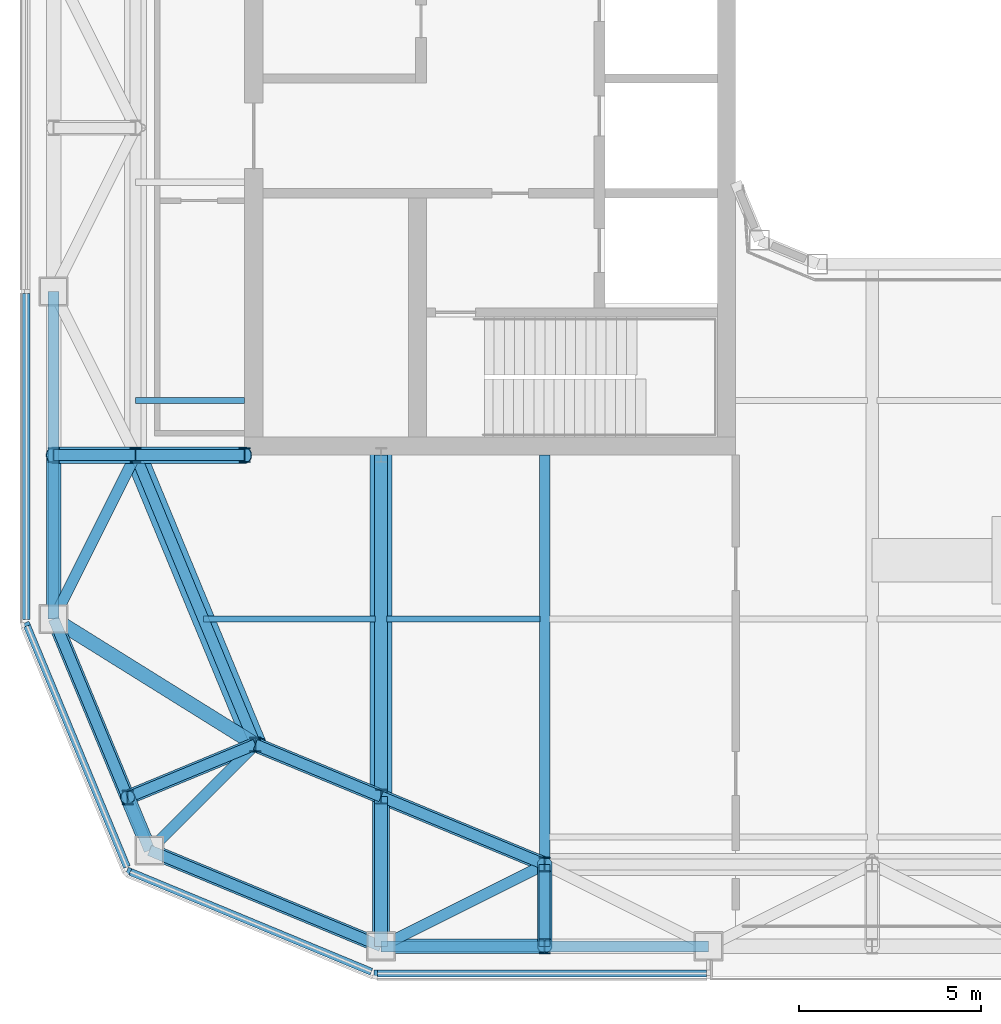
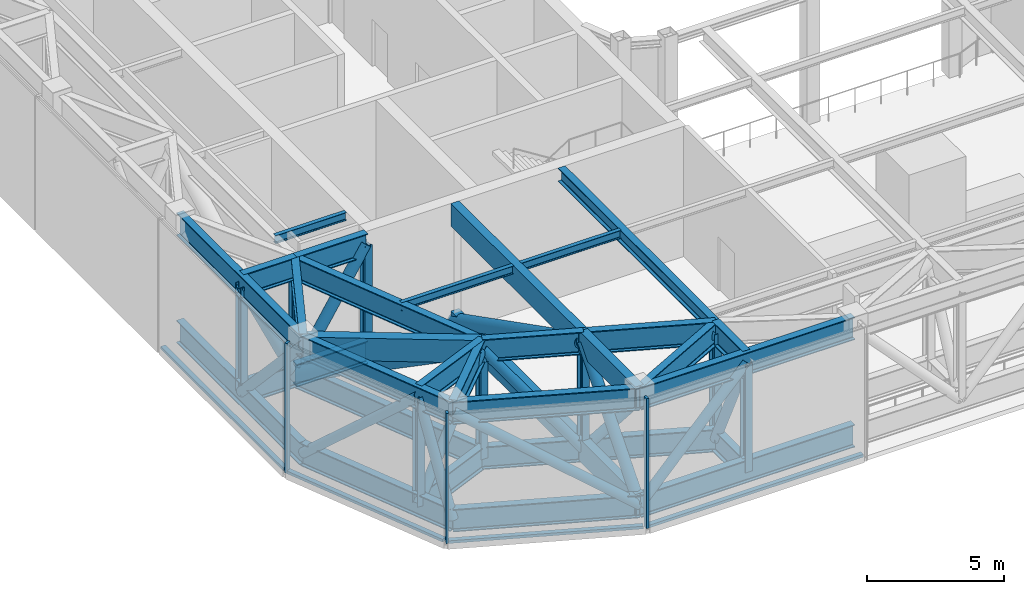
# One storey, part 2 of 21: 34 beams, 29 members, 4 elements without a shape of their own.
"""IFC4 building model written with IfcOpenShell, lengths in metres."""

from ifc_helpers import new_model, si_unit, direction, frame, origin, origin_2d, place, context, subcontext, project, spatial, rectangle, hollow_rectangle, hollow_circle, i_section, extrude, material, layer, layer_set, material_profile, profile_set, type_object, element, aggregate, save


model = new_model("IFC4")

# Units and contexts
model_context = context("Model", 3, precision=1e-05, world=origin(), true_north=direction((0.0, 1.0)))
body_context = subcontext(model_context, "Body", "Model", "MODEL_VIEW")
ifc_project = project(units=[si_unit("LENGTHUNIT", "METRE"), si_unit("AREAUNIT", "SQUARE_METRE"), si_unit("VOLUMEUNIT", "CUBIC_METRE"), si_unit("PLANEANGLEUNIT", "RADIAN"), si_unit("MASSUNIT", "GRAM", prefix="KILO")], contexts=[model_context])

# Site, building, storey
site_placement = place(None, origin())
site = spatial("IfcSite", under=ifc_project, at=site_placement, CompositionType="ELEMENT")
building_placement = place(site_placement, origin())
building = spatial("IfcBuilding", under=site, at=building_placement, Name="Siwar Civic Tower", CompositionType="ELEMENT")
storey_placement = place(building_placement, frame((0.0, 0.0, 278.199951171875)))
storey = spatial("IfcBuildingStorey", under=building, at=storey_placement, Name="L60", CompositionType="ELEMENT", Elevation=278.199951171875)

# Curtain wall, member
ifc_material_1 = material(Name="Aluminium and glass", Category="aluminium")
ifc_layer = layer(ifc_material_1, 0.199951171875)
ifc_layer_set = layer_set([ifc_layer], Name="Aluminium and glass")
curtain_wall_type = type_object("IfcCurtainWallType", Name="ENV-CW-P", PredefinedType="NOTDEFINED", material=ifc_layer_set)
curtain_wall_1_placement = place(storey_placement, origin())
curtain_wall_1 = element("IfcCurtainWall", 1, at=curtain_wall_1_placement, inside=storey, type_object=curtain_wall_type, Name="Curtain wall P S-00", PredefinedType="NOTDEFINED")
ifc_material_2 = material(Name="Aluminium 6063-T6", Category="aluminium")
ifc_material_profile_1 = material_profile(ifc_material_2, rectangle(XDim=0.199951171875, YDim=0.10009765625, at=origin_2d()), Name="AL 200x100")
ifc_profile_set_1 = profile_set([ifc_material_profile_1], Name="Aluminium 6063-T6")
member_type_1 = type_object("IfcMemberType", Name="ENV-MULLION-P", PredefinedType="MULLION", material=ifc_profile_set_1)
member_1_placement = place(storey_placement, frame((-18.149169921875, -27.75, 0.0), z_axis=(0.0, 0.0, 1.0), x_axis=(0.0, 1.0, 0.0)))
member_1 = element("IfcMember", 2, at=member_1_placement, type_object=member_type_1, Name="Mullion P S-00 1", PredefinedType="MULLION", context=body_context, shape_type="SweptSolid", body=[
    extrude(rectangle(XDim=0.199951171875, YDim=0.10009765625, at=origin_2d()), origin(), (0.0, 0.0, 1.0), 5.800048828125),
])

curtain_wall_2_placement = place(storey_placement, origin())
curtain_wall_2 = element("IfcCurtainWall", 3, at=curtain_wall_2_placement, inside=storey, type_object=curtain_wall_type, Name="Curtain wall P SW1", PredefinedType="NOTDEFINED")
member_2_placement = place(storey_placement, frame((-27.75, -18.149169921875, 0.0), z_axis=(0.0, 0.0, 1.0), x_axis=(0.923879532511, 0.382683432365, 0.0)))
member_2 = element("IfcMember", 4, at=member_2_placement, type_object=member_type_1, Name="Mullion P SW1 1", PredefinedType="MULLION", context=body_context, shape_type="SweptSolid", body=[
    extrude(rectangle(XDim=0.199951171875, YDim=0.10009765625, at=origin_2d()), origin(), (0.0, 0.0, 1.0), 5.800048828125),
])

curtain_wall_3_placement = place(storey_placement, origin())
curtain_wall_3 = element("IfcCurtainWall", 5, at=curtain_wall_3_placement, inside=storey, type_object=curtain_wall_type, Name="Curtain wall P SW2", PredefinedType="NOTDEFINED")
member_3_placement = place(storey_placement, frame((-24.93798828125, -24.93798828125, 0.0), z_axis=(0.0, 0.0, 1.0), x_axis=(0.382683432365, 0.923879532511, 0.0)))
member_3 = element("IfcMember", 6, at=member_3_placement, type_object=member_type_1, Name="Mullion P SW2 1", PredefinedType="MULLION", context=body_context, shape_type="SweptSolid", body=[
    extrude(rectangle(XDim=0.199951171875, YDim=0.10009765625, at=origin_2d()), origin(), (0.0, 0.0, 1.0), 5.800048828125),
])

# Member
ifc_material_3 = material(Name="Aluminium 6063-T6", Category="aluminium")
ifc_material_profile_2 = material_profile(ifc_material_3, rectangle(XDim=0.199951171875, YDim=0.1201171875, at=origin_2d()), Name="AL 200x120")
ifc_profile_set_2 = profile_set([ifc_material_profile_2], Name="Aluminium 6063-T6")
member_type_2 = type_object("IfcMemberType", Name="ENV-TRANSOM-P", PredefinedType="USERDEFINED", material=ifc_profile_set_2)
member_4_placement = place(storey_placement, frame((-18.09912109375, -27.75, 0.06005859375), z_axis=(1.0, 0.0, 0.0), x_axis=(0.0, 1.0, 0.0)))
member_4 = element("IfcMember", 7, at=member_4_placement, type_object=member_type_2, Name="Transom P S-00 1", ObjectType="TRANSOM", PredefinedType="USERDEFINED", context=body_context, shape_type="SweptSolid", body=[
    extrude(rectangle(XDim=0.199951171875, YDim=0.1201171875, at=origin_2d()), origin(), (0.0, 0.0, 1.0), 9.049072265625),
])

aggregate(curtain_wall_1, [member_1, member_4])

# Curtain wall, member
curtain_wall_4_placement = place(storey_placement, origin())
curtain_wall_4 = element("IfcCurtainWall", 8, at=curtain_wall_4_placement, inside=storey, type_object=curtain_wall_type, Name="Curtain wall P W", PredefinedType="NOTDEFINED")
member_5_placement = place(storey_placement, frame((-27.75, -9.050048828125, 0.06005859375), z_axis=(0.0, -1.0, 0.0), x_axis=(1.0, 0.0, 0.0)))
member_5 = element("IfcMember", 9, at=member_5_placement, type_object=member_type_2, Name="Transom P W 4", ObjectType="TRANSOM", PredefinedType="USERDEFINED", context=body_context, shape_type="SweptSolid", body=[
    extrude(rectangle(XDim=0.199951171875, YDim=0.1201171875, at=origin_2d()), origin(), (0.0, 0.0, 1.0), 8.97314453125),
])
aggregate(curtain_wall_4, [member_5])

# Member
member_6_placement = place(storey_placement, frame((-27.73095703125, -18.1953125, 0.06005859375), z_axis=(0.382678484395, -0.923881582012, 0.0), x_axis=(0.923881582012, 0.382678484395, 0.0)))
member_6 = element("IfcMember", 10, at=member_6_placement, type_object=member_type_2, Name="Transom P SW1 1", ObjectType="TRANSOM", PredefinedType="USERDEFINED", context=body_context, shape_type="SweptSolid", body=[
    extrude(rectangle(XDim=0.199951171875, YDim=0.1201171875, at=origin_2d()), origin(), (0.0, 0.0, 1.0), 7.172119140625),
])

aggregate(curtain_wall_2, [member_2, member_6])

member_7_placement = place(storey_placement, frame((-24.891845703125, -24.95703125, 0.06005859375), z_axis=(0.923881582012, -0.382678484395, 0.0), x_axis=(0.382678484395, 0.923881582012, 0.0)))
member_7 = element("IfcMember", 11, at=member_7_placement, type_object=member_type_2, Name="Transom P SW2 1", ObjectType="TRANSOM", PredefinedType="USERDEFINED", context=body_context, shape_type="SweptSolid", body=[
    extrude(rectangle(XDim=0.199951171875, YDim=0.1201171875, at=origin_2d()), origin(), (0.0, 0.0, 1.0), 7.172119140625),
])

aggregate(curtain_wall_3, [member_3, member_7])

# Beams
ifc_material_4 = material(Name="Steel S460", Category="steel")
ifc_material_profile_3 = material_profile(ifc_material_4, i_section(OverallWidth=0.302001953125, OverallDepth=1.008056640625, WebThickness=0.02099609375, FlangeThickness=0.0400390625, FilletRadius=0.030029296875, at=origin_2d()), Name="HEM1000")
ifc_profile_set_3 = profile_set([ifc_material_profile_3], Name="Steel S460")
beam_type_1 = type_object("IfcBeamType", Name="STR-BELT-TRUSS-CHORD-HEM1000", PredefinedType="BEAM", material=ifc_profile_set_3)
for number, where, z_axis, x_axis, name in (
    (12, (-24.75, -13.5, 0.504150390625), (0.382699877515, -0.923872720536, 0.0), (0.923872720536, 0.382699877515, 0.0), "Belt truss chord"),
    (13, (-24.75, -13.5, 5.296142578125), (0.382699877515, -0.923872720536, 0.0), (0.923872720536, 0.382699877515, 0.0), "Belt truss chord"),
):
    element("IfcBeam", number, at=place(storey_placement, frame(where, z_axis=z_axis, x_axis=x_axis)), inside=storey, type_object=beam_type_1, Name=name, PredefinedType="BEAM", context=body_context, shape_type="SweptSolid", body=[
        extrude(i_section(OverallWidth=0.302001953125, OverallDepth=1.008056640625, WebThickness=0.02099609375, FlangeThickness=0.0400390625, FilletRadius=0.030029296875, at=origin_2d()), origin(), (0.0, 0.0, 1.0), 8.6103515625),
    ])
for number, where, z_axis, x_axis, name in (
    (14, (-21.454833984375, -21.454833984375, 0.504150390625), (0.923868824781, -0.382709282091, 0.0), (0.382709282091, 0.923868824781, 0.0), "Belt truss chord"),
    (15, (-21.454833984375, -21.454833984375, 5.296142578125), (0.923868824781, -0.382709282091, 0.0), (0.382709282091, 0.923868824781, 0.0), "Belt truss chord"),
):
    element("IfcBeam", number, at=place(storey_placement, frame(where, z_axis=z_axis, x_axis=x_axis)), inside=storey, type_object=beam_type_1, Name=name, PredefinedType="BEAM", context=body_context, shape_type="SweptSolid", body=[
        extrude(i_section(OverallWidth=0.302001953125, OverallDepth=1.008056640625, WebThickness=0.02099609375, FlangeThickness=0.0400390625, FilletRadius=0.030029296875, at=origin_2d()), origin(), (0.0, 0.0, 1.0), 3.739501953125),
    ])
for number, where, z_axis, x_axis, name in (
    (16, (-18.0, -22.885986328125, 0.504150390625), (0.923875711423, -0.382692657157, 0.0), (0.382692657157, 0.923875711423, 0.0), "Belt truss chord"),
    (17, (-18.0, -22.885986328125, 5.296142578125), (0.923875711423, -0.382692657157, 0.0), (0.382692657157, 0.923875711423, 0.0), "Belt truss chord"),
):
    element("IfcBeam", number, at=place(storey_placement, frame(where, z_axis=z_axis, x_axis=x_axis)), inside=storey, type_object=beam_type_1, Name=name, PredefinedType="BEAM", context=body_context, shape_type="SweptSolid", body=[
        extrude(i_section(OverallWidth=0.302001953125, OverallDepth=1.008056640625, WebThickness=0.02099609375, FlangeThickness=0.0400390625, FilletRadius=0.030029296875, at=origin_2d()), origin(), (0.0, 0.0, 1.0), 4.870849609375),
    ])
for number, where, z_axis, x_axis, name in (
    (18, (-18.0, -27.0, 0.504150390625), (1.0, 0.0, 0.0), (0.0, 1.0, 0.0), "Belt truss chord"),
    (19, (-18.0, -27.0, 5.296142578125), (1.0, 0.0, 0.0), (0.0, 1.0, 0.0), "Belt truss chord"),
    (20, (-27.0, -9.0, 0.504150390625), (0.0, -1.0, 0.0), (1.0, 0.0, 0.0), "Belt truss chord"),
    (21, (-27.0, -9.0, 5.296142578125), (0.0, -1.0, 0.0), (1.0, 0.0, 0.0), "Belt truss chord"),
):
    element("IfcBeam", number, at=place(storey_placement, frame(where, z_axis=z_axis, x_axis=x_axis)), inside=storey, type_object=beam_type_1, Name=name, PredefinedType="BEAM", context=body_context, shape_type="SweptSolid", body=[
        extrude(i_section(OverallWidth=0.302001953125, OverallDepth=1.008056640625, WebThickness=0.02099609375, FlangeThickness=0.0400390625, FilletRadius=0.030029296875, at=origin_2d()), origin(), (0.0, 0.0, 1.0), 9.0),
    ])
for number, where, z_axis, x_axis, name in (
    (22, (-27.0, -18.0, 0.504150390625), (0.382674207535, -0.923883353507, 0.0), (0.923883353507, 0.382674207535, 0.0), "Belt truss chord"),
    (23, (-27.0, -18.0, 5.296142578125), (0.382674207535, -0.923883353507, 0.0), (0.923883353507, 0.382674207535, 0.0), "Belt truss chord"),
    (24, (-24.364013671875, -24.364013671875, 0.504150390625), (0.923883353507, -0.382674207535, 0.0), (0.382674207535, 0.923883353507, 0.0), "Belt truss chord"),
    (25, (-24.364013671875, -24.364013671875, 5.296142578125), (0.923883353507, -0.382674207535, 0.0), (0.382674207535, 0.923883353507, 0.0), "Belt truss chord"),
):
    element("IfcBeam", number, at=place(storey_placement, frame(where, z_axis=z_axis, x_axis=x_axis)), inside=storey, type_object=beam_type_1, Name=name, PredefinedType="BEAM", context=body_context, shape_type="SweptSolid", body=[
        extrude(i_section(OverallWidth=0.302001953125, OverallDepth=1.008056640625, WebThickness=0.02099609375, FlangeThickness=0.0400390625, FilletRadius=0.030029296875, at=origin_2d()), origin(), (0.0, 0.0, 1.0), 6.888427734375),
    ])

# Members
ifc_material_5 = material(Name="Steel S355", Category="steel")
ifc_material_profile_4 = material_profile(ifc_material_5, hollow_circle(Radius=0.203125, WallThickness=0.01611328125, at=origin_2d()), Name="CHS406.4x16")
ifc_profile_set_4 = profile_set([ifc_material_profile_4], Name="Steel S355")
member_type_3 = type_object("IfcMemberType", Name="STR-BELT-TRUSS-DIAGONAL-CHS406.4x16", PredefinedType="BRACE", material=ifc_profile_set_4)
member_8_placement = place(storey_placement, frame((-17.9970703125, -22.88720703125, 0.5), z_axis=(-0.568386651016, 0.235414322971, 0.78836331186), x_axis=(-0.38265688181, -0.923890529664, 0.0)))
element("IfcMember", 26, at=member_8_placement, inside=storey, type_object=member_type_3, Name="Belt truss diagonal", PredefinedType="BRACE", context=body_context, shape_type="SweptSolid", body=[
    extrude(hollow_circle(Radius=0.203125, WallThickness=0.01611328125, at=origin_2d()), origin(), (0.0, 0.0, 1.0), 6.088623046875),
])
member_9_placement = place(storey_placement, frame((-18.003173828125, -22.884765625, 0.50048828125), z_axis=(0.658560782999, -0.272800723091, 0.701339761155), x_axis=(0.382702489371, 0.923871638611, 0.0)))
element("IfcMember", 27, at=member_9_placement, inside=storey, type_object=member_type_3, Name="Belt truss diagonal", PredefinedType="BRACE", context=body_context, shape_type="SweptSolid", body=[
    extrude(hollow_circle(Radius=0.203125, WallThickness=0.01611328125, at=origin_2d()), origin(), (0.0, 0.0, 1.0), 6.8427734375),
])
for number, where, z_axis, x_axis, name in (
    (28, (-18.00341796875, -27.0, 0.50048828125), (0.684545317859, 0.0, 0.728970306526), (0.0, 1.0, 0.0), "Belt truss diagonal"),
    (29, (-27.0, -13.49658203125, 0.50048828125), (0.0, -0.684545317859, 0.728970306526), (1.0, 0.0, 0.0), "Belt truss diagonal"),
):
    element("IfcMember", number, at=place(storey_placement, frame(where, z_axis=z_axis, x_axis=x_axis)), inside=storey, type_object=member_type_3, Name=name, PredefinedType="BRACE", context=body_context, shape_type="SweptSolid", body=[
        extrude(hollow_circle(Radius=0.203125, WallThickness=0.01611328125, at=origin_2d()), origin(), (0.0, 0.0, 1.0), 6.583740234375),
    ])
member_10_placement = place(storey_placement, frame((-27.00146484375, -17.99658203125, 0.500732421875), z_axis=(0.284196149478, -0.686111720661, 0.669688924348), x_axis=(0.923879832688, 0.382682707675, 0.0)))
element("IfcMember", 30, at=member_10_placement, inside=storey, type_object=member_type_3, Name="Belt truss diagonal", PredefinedType="BRACE", context=body_context, shape_type="SweptSolid", body=[
    extrude(hollow_circle(Radius=0.203125, WallThickness=0.01611328125, at=origin_2d()), origin(), (0.0, 0.0, 1.0), 7.165283203125),
])
member_11_placement = place(storey_placement, frame((-24.36328125, -24.365478515625, 0.499267578125), z_axis=(-0.119460581457, 0.288386442093, 0.950032857061), x_axis=(-0.92387159711, -0.382702589557, 0.0)))
element("IfcMember", 31, at=member_11_placement, inside=storey, type_object=member_type_3, Name="Belt truss diagonal", PredefinedType="BRACE", context=body_context, shape_type="SweptSolid", body=[
    extrude(hollow_circle(Radius=0.203125, WallThickness=0.01611328125, at=origin_2d()), origin(), (0.0, 0.0, 1.0), 5.053955078125),
])
member_12_placement = place(storey_placement, frame((-17.99609375, -27.00146484375, 0.501220703125), z_axis=(-0.758418164088, 0.314142859752, 0.571065803606), x_axis=(-0.38267903437, -0.923881354208, 0.0)))
element("IfcMember", 32, at=member_12_placement, inside=storey, type_object=member_type_3, Name="Belt truss diagonal", PredefinedType="BRACE", context=body_context, shape_type="SweptSolid", body=[
    extrude(hollow_circle(Radius=0.203125, WallThickness=0.01611328125, at=origin_2d()), origin(), (0.0, 0.0, 1.0), 8.401123046875),
])
member_13_placement = place(storey_placement, frame((-13.5, -24.747802734375, 0.49951171875), z_axis=(0.0, -0.425038765055, 0.905175147803), x_axis=(1.0, 0.0, 0.0)))
element("IfcMember", 33, at=member_13_placement, inside=storey, type_object=member_type_3, Name="Belt truss diagonal", PredefinedType="BRACE", context=body_context, shape_type="SweptSolid", body=[
    extrude(hollow_circle(Radius=0.203125, WallThickness=0.01611328125, at=origin_2d()), origin(), (0.0, 0.0, 1.0), 5.303955078125),
])
member_14_placement = place(storey_placement, frame((-24.96923828125, -22.91064453125, 0.500244140625), z_axis=(0.574106667856, 0.237796368673, 0.783488622106), x_axis=(-0.382674642233, 0.923883173454, 0.0)))
element("IfcMember", 34, at=member_14_placement, inside=storey, type_object=member_type_3, Name="Belt truss diagonal", PredefinedType="BRACE", context=body_context, shape_type="SweptSolid", body=[
    extrude(hollow_circle(Radius=0.203125, WallThickness=0.01611328125, at=origin_2d()), origin(), (0.0, 0.0, 1.0), 6.126220703125),
])
ifc_material_6 = material(Name="Steel S355", Category="steel")
ifc_material_profile_5 = material_profile(ifc_material_6, hollow_circle(Radius=0.304931640625, WallThickness=0.030029296875, at=origin_2d()), Name="CHS610x30")
ifc_profile_set_5 = profile_set([ifc_material_profile_5], Name="Steel S355")
member_type_4 = type_object("IfcMemberType", Name="STR-BELT-TRUSS-DIAGONAL-CHS610x30", PredefinedType="BRACE", material=ifc_profile_set_5)
member_15_placement = place(storey_placement, frame((-24.751708984375, -13.495849609375, 0.501708984375), z_axis=(0.334378008671, -0.807284049506, 0.486296011427), x_axis=(0.923883575944, 0.382673670509, 0.0)))
element("IfcMember", 35, at=member_15_placement, inside=storey, type_object=member_type_4, Name="Belt truss diagonal", PredefinedType="BRACE", context=body_context, shape_type="SweptSolid", body=[
    extrude(hollow_circle(Radius=0.304931640625, WallThickness=0.030029296875, at=origin_2d()), origin(), (0.0, 0.0, 1.0), 9.864013671875),
])

# Beams
ifc_material_7 = material(Name="Steel S460", Category="steel")
ifc_material_profile_6 = material_profile(ifc_material_7, i_section(OverallWidth=0.302001953125, OverallDepth=1.008056640625, WebThickness=0.02099609375, FlangeThickness=0.0400390625, FilletRadius=0.030029296875, at=origin_2d()), Name="HEM1000")
ifc_profile_set_6 = profile_set([ifc_material_profile_6], Name="Steel S460")
beam_type_2 = type_object("IfcBeamType", Name="STR-BELT-TRUSS-LADDER-CHORD-HEM1000", PredefinedType="BEAM", material=ifc_profile_set_6)
for number, where, z_axis, x_axis, name in (
    (36, (-13.5, -24.75, 0.504150390625), (0.0, -1.0, 0.0), (1.0, 0.0, 0.0), "Belt truss ladder chord"),
    (37, (-13.5, -24.75, 5.296142578125), (0.0, -1.0, 0.0), (1.0, 0.0, 0.0), "Belt truss ladder chord"),
):
    element("IfcBeam", number, at=place(storey_placement, frame(where, z_axis=z_axis, x_axis=x_axis)), inside=storey, type_object=beam_type_2, Name=name, PredefinedType="BEAM", context=body_context, shape_type="SweptSolid", body=[
        extrude(i_section(OverallWidth=0.302001953125, OverallDepth=1.008056640625, WebThickness=0.02099609375, FlangeThickness=0.0400390625, FilletRadius=0.030029296875, at=origin_2d()), origin(), (0.0, 0.0, 1.0), 2.25),
    ])
for number, where, z_axis, x_axis, name in (
    (38, (-21.454833984375, -21.454833984375, 0.504150390625), (-0.923880619824, -0.382680807349, 0.0), (0.382680807349, -0.923880619824, 0.0), "Belt truss ladder chord"),
    (39, (-21.454833984375, -21.454833984375, 5.296142578125), (-0.923880619824, -0.382680807349, 0.0), (0.382680807349, -0.923880619824, 0.0), "Belt truss ladder chord"),
):
    element("IfcBeam", number, at=place(storey_placement, frame(where, z_axis=z_axis, x_axis=x_axis)), inside=storey, type_object=beam_type_2, Name=name, PredefinedType="BEAM", context=body_context, shape_type="SweptSolid", body=[
        extrude(i_section(OverallWidth=0.302001953125, OverallDepth=1.008056640625, WebThickness=0.02099609375, FlangeThickness=0.0400390625, FilletRadius=0.030029296875, at=origin_2d()), origin(), (0.0, 0.0, 1.0), 3.801025390625),
    ])

# Members
ifc_material_8 = material(Name="Steel S355", Category="steel")
ifc_material_profile_7 = material_profile(ifc_material_8, i_section(OverallWidth=0.300048828125, OverallDepth=0.39990234375, WebThickness=0.013427734375, FlangeThickness=0.02392578125, FilletRadius=0.027099609375, at=origin_2d()), Name="HEB400")
ifc_profile_set_7 = profile_set([ifc_material_profile_7], Name="Steel S355")
member_type_5 = type_object("IfcMemberType", Name="STR-BELT-TRUSS-POST-HEB400", PredefinedType="POST", material=ifc_profile_set_7)
for number, where, z_axis, x_axis, name in (
    (40, (-27.0, -13.5, 0.504150390625), (0.0, 0.0, 1.0), (1.0, 0.0, 0.0), "Belt truss post"),
    (41, (-24.966552734375, -22.909423828125, 0.504150390625), (0.0, 0.0, 1.0), (1.0, 0.0, 0.0), "Belt truss post"),
    (42, (-24.75, -13.5, 0.504150390625), (0.0, 0.0, 1.0), (1.0, 0.0, 0.0), "Belt truss post"),
    (43, (-21.454833984375, -21.454833984375, 0.504150390625), (0.0, 0.0, 1.0), (1.0, 0.0, 0.0), "Belt truss post"),
    (44, (-18.0, -22.885986328125, 0.504150390625), (0.0, 0.0, 1.0), (1.0, 0.0, 0.0), "Belt truss post"),
    (45, (-13.5, -27.0, 0.504150390625), (0.0, 0.0, 1.0), (1.0, 0.0, 0.0), "Belt truss post"),
    (46, (-13.5, -24.75, 0.504150390625), (0.0, 0.0, 1.0), (1.0, 0.0, 0.0), "Belt truss post"),
):
    element("IfcMember", number, at=place(storey_placement, frame(where, z_axis=z_axis, x_axis=x_axis)), inside=storey, type_object=member_type_5, Name=name, PredefinedType="POST", context=body_context, shape_type="SweptSolid", body=[
        extrude(i_section(OverallWidth=0.300048828125, OverallDepth=0.39990234375, WebThickness=0.013427734375, FlangeThickness=0.02392578125, FilletRadius=0.027099609375, at=origin_2d()), origin(), (0.0, 0.0, 1.0), 4.7919921875),
    ])

# Beams
ifc_material_9 = material(Name="Steel S355", Category="steel")
ifc_material_profile_8 = material_profile(ifc_material_9, i_section(OverallWidth=0.169921875, OverallDepth=0.360107421875, WebThickness=0.008056640625, FlangeThickness=0.0126953125, FilletRadius=0.01806640625, at=origin_2d()), Name="IPE360")
ifc_profile_set_8 = profile_set([ifc_material_profile_8], Name="Steel S355")
beam_type_3 = type_object("IfcBeamType", Name="STR-FB-IPE360", PredefinedType="JOIST", material=ifc_profile_set_8)
beam_1_placement = place(storey_placement, frame((-22.885986328125, -18.0, 5.6201171875), z_axis=(1.0, 0.0, 0.0), x_axis=(0.0, 1.0, 0.0)))
element("IfcBeam", 47, at=beam_1_placement, inside=storey, type_object=beam_type_3, Name="L60/bm/F004", PredefinedType="JOIST", context=body_context, shape_type="SweptSolid", body=[
    extrude(i_section(OverallWidth=0.169921875, OverallDepth=0.360107421875, WebThickness=0.008056640625, FlangeThickness=0.0126953125, FilletRadius=0.01806640625, at=origin_2d()), origin(), (0.0, 0.0, 1.0), 4.73095703125),
])
beam_2_placement = place(storey_placement, frame((-17.844970703125, -18.0, 5.6201171875), z_axis=(1.0, 0.0, 0.0), x_axis=(0.0, 1.0, 0.0)))
element("IfcBeam", 48, at=beam_2_placement, inside=storey, type_object=beam_type_3, Name="L60/bm/F005", PredefinedType="JOIST", context=body_context, shape_type="SweptSolid", body=[
    extrude(i_section(OverallWidth=0.169921875, OverallDepth=0.360107421875, WebThickness=0.008056640625, FlangeThickness=0.0126953125, FilletRadius=0.01806640625, at=origin_2d()), origin(), (0.0, 0.0, 1.0), 4.215087890625),
])
beam_3_placement = place(storey_placement, frame((-24.75, -12.0, 5.6201171875), z_axis=(1.0, 0.0, 0.0), x_axis=(0.0, 1.0, 0.0)))
element("IfcBeam", 49, at=beam_3_placement, inside=storey, type_object=beam_type_3, Name="L60/bm/F011", PredefinedType="JOIST", context=body_context, shape_type="SweptSolid", body=[
    extrude(i_section(OverallWidth=0.169921875, OverallDepth=0.360107421875, WebThickness=0.008056640625, FlangeThickness=0.0126953125, FilletRadius=0.01806640625, at=origin_2d()), origin(), (0.0, 0.0, 1.0), 3.0),
])
ifc_material_10 = material(Name="Steel S460", Category="steel")
ifc_material_profile_9 = material_profile(ifc_material_10, hollow_rectangle(XDim=0.35009765625, YDim=1.008056640625, WallThickness=0.0400390625, at=origin_2d()), Name="BOX1008x350x40")
ifc_profile_set_9 = profile_set([ifc_material_profile_9], Name="Steel S460")
beam_type_4 = type_object("IfcBeamType", Name="STR-OUTRIGGER-TRUSS-CHORD-BOX1008x350x40", PredefinedType="BEAM", material=ifc_profile_set_9)
for number, where, z_axis, x_axis, name in (
    (50, (-18.0, -27.0, 0.504150390625), (0.0, 1.0, 0.0), (-1.0, 0.0, 0.0), "Outrigger truss chord"),
    (51, (-18.0, -27.0, 5.296142578125), (0.0, 1.0, 0.0), (-1.0, 0.0, 0.0), "Outrigger truss chord"),
):
    element("IfcBeam", number, at=place(storey_placement, frame(where, z_axis=z_axis, x_axis=x_axis)), inside=storey, type_object=beam_type_4, Name=name, PredefinedType="BEAM", context=body_context, shape_type="SweptSolid", body=[
        extrude(hollow_rectangle(XDim=0.35009765625, YDim=1.008056640625, WallThickness=0.0400390625, at=origin_2d()), origin(), (0.0, 0.0, 1.0), 4.114013671875),
    ])
for number, where, z_axis, x_axis, name in (
    (52, (-18.0, -22.885986328125, 0.504150390625), (0.0, 1.0, 0.0), (-1.0, 0.0, 0.0), "Outrigger truss chord"),
    (53, (-18.0, -22.885986328125, 5.296142578125), (0.0, 1.0, 0.0), (-1.0, 0.0, 0.0), "Outrigger truss chord"),
):
    element("IfcBeam", number, at=place(storey_placement, frame(where, z_axis=z_axis, x_axis=x_axis)), inside=storey, type_object=beam_type_4, Name=name, PredefinedType="BEAM", context=body_context, shape_type="SweptSolid", body=[
        extrude(hollow_rectangle(XDim=0.35009765625, YDim=1.008056640625, WallThickness=0.0400390625, at=origin_2d()), origin(), (0.0, 0.0, 1.0), 9.385986328125),
    ])
ifc_material_11 = material(Name="Steel S460", Category="steel")
ifc_material_profile_10 = material_profile(ifc_material_11, i_section(OverallWidth=0.302001953125, OverallDepth=1.008056640625, WebThickness=0.02099609375, FlangeThickness=0.0400390625, FilletRadius=0.030029296875, at=origin_2d()), Name="HEM1000")
ifc_profile_set_10 = profile_set([ifc_material_profile_10], Name="Steel S460")
beam_type_5 = type_object("IfcBeamType", Name="STR-OUTRIGGER-TRUSS-CHORD-HEM1000", PredefinedType="BEAM", material=ifc_profile_set_10)
for number, where, z_axis, x_axis, name in (
    (54, (-24.75, -13.5, 0.504150390625), (-1.0, 0.0, 0.0), (0.0, -1.0, 0.0), "Outrigger truss chord"),
    (55, (-24.75, -13.5, 5.296142578125), (-1.0, 0.0, 0.0), (0.0, -1.0, 0.0), "Outrigger truss chord"),
):
    element("IfcBeam", number, at=place(storey_placement, frame(where, z_axis=z_axis, x_axis=x_axis)), inside=storey, type_object=beam_type_5, Name=name, PredefinedType="BEAM", context=body_context, shape_type="SweptSolid", body=[
        extrude(i_section(OverallWidth=0.302001953125, OverallDepth=1.008056640625, WebThickness=0.02099609375, FlangeThickness=0.0400390625, FilletRadius=0.030029296875, at=origin_2d()), origin(), (0.0, 0.0, 1.0), 2.25),
    ])
for number, where, z_axis, x_axis, name in (
    (56, (-24.75, -13.5, 0.504150390625), (1.0, 0.0, 0.0), (0.0, 1.0, 0.0), "Outrigger truss chord"),
    (57, (-24.75, -13.5, 5.296142578125), (1.0, 0.0, 0.0), (0.0, 1.0, 0.0), "Outrigger truss chord"),
):
    element("IfcBeam", number, at=place(storey_placement, frame(where, z_axis=z_axis, x_axis=x_axis)), inside=storey, type_object=beam_type_5, Name=name, PredefinedType="BEAM", context=body_context, shape_type="SweptSolid", body=[
        extrude(i_section(OverallWidth=0.302001953125, OverallDepth=1.008056640625, WebThickness=0.02099609375, FlangeThickness=0.0400390625, FilletRadius=0.030029296875, at=origin_2d()), origin(), (0.0, 0.0, 1.0), 3.0),
    ])

# Members
ifc_material_12 = material(Name="Steel S355", Category="steel")
ifc_material_profile_11 = material_profile(ifc_material_12, hollow_circle(Radius=0.228515625, WallThickness=0.02001953125, at=origin_2d()), Name="CHS457x20")
ifc_profile_set_11 = profile_set([ifc_material_profile_11], Name="Steel S355")
member_type_6 = type_object("IfcMemberType", Name="STR-OUTRIGGER-TRUSS-DIAGONAL-CHS457x20", PredefinedType="BRACE", material=ifc_profile_set_11)
member_16_placement = place(storey_placement, frame((-24.747802734375, -13.5, 0.49951171875), z_axis=(-0.425038765055, 0.0, 0.905175147803), x_axis=(0.0, -1.0, 0.0)))
element("IfcMember", 58, at=member_16_placement, inside=storey, type_object=member_type_6, Name="Outrigger truss diagonal", PredefinedType="BRACE", context=body_context, shape_type="SweptSolid", body=[
    extrude(hollow_circle(Radius=0.228515625, WallThickness=0.02001953125, at=origin_2d()), origin(), (0.0, 0.0, 1.0), 5.303955078125),
])
member_17_placement = place(storey_placement, frame((-24.752685546875, -13.5, 0.499755859375), z_axis=(0.530638118245, 0.0, 0.847598482458), x_axis=(0.0, 1.0, 0.0)))
element("IfcMember", 59, at=member_17_placement, inside=storey, type_object=member_type_6, Name="Outrigger truss diagonal", PredefinedType="BRACE", context=body_context, shape_type="SweptSolid", body=[
    extrude(hollow_circle(Radius=0.228515625, WallThickness=0.02001953125, at=origin_2d()), origin(), (0.0, 0.0, 1.0), 5.66357421875),
])
member_18_placement = place(storey_placement, frame((-18.0, -27.003173828125, 0.500244140625), z_axis=(0.0, 0.651379194735, 0.758752360567), x_axis=(-1.0, 0.0, 0.0)))
element("IfcMember", 60, at=member_18_placement, inside=storey, type_object=member_type_6, Name="Outrigger truss diagonal", PredefinedType="BRACE", context=body_context, shape_type="SweptSolid", body=[
    extrude(hollow_circle(Radius=0.228515625, WallThickness=0.02001953125, at=origin_2d()), origin(), (0.0, 0.0, 1.0), 6.32568359375),
])
ifc_material_13 = material(Name="Steel S355", Category="steel")
ifc_material_profile_12 = material_profile(ifc_material_13, hollow_circle(Radius=0.304931640625, WallThickness=0.030029296875, at=origin_2d()), Name="CHS610x30")
ifc_profile_set_12 = profile_set([ifc_material_profile_12], Name="Steel S355")
member_type_7 = type_object("IfcMemberType", Name="STR-OUTRIGGER-TRUSS-DIAGONAL-CHS610x30", PredefinedType="BRACE", material=ifc_profile_set_12)
member_19_placement = place(storey_placement, frame((-18.0, -13.49560546875, 0.501708984375), z_axis=(0.0, -0.890632189347, 0.454724425667), x_axis=(1.0, 0.0, 0.0)))
element("IfcMember", 61, at=member_19_placement, inside=storey, type_object=member_type_7, Name="Outrigger truss diagonal", PredefinedType="BRACE", context=body_context, shape_type="SweptSolid", body=[
    extrude(hollow_circle(Radius=0.304931640625, WallThickness=0.030029296875, at=origin_2d()), origin(), (0.0, 0.0, 1.0), 10.54833984375),
])
ifc_material_14 = material(Name="Steel S355", Category="steel")
ifc_material_profile_13 = material_profile(ifc_material_14, i_section(OverallWidth=0.300048828125, OverallDepth=0.39990234375, WebThickness=0.013427734375, FlangeThickness=0.02392578125, FilletRadius=0.027099609375, at=origin_2d()), Name="HEB400")
ifc_profile_set_13 = profile_set([ifc_material_profile_13], Name="Steel S355")
member_type_8 = type_object("IfcMemberType", Name="STR-OUTRIGGER-TRUSS-POST-HEB400", PredefinedType="POST", material=ifc_profile_set_13)
member_20_placement = place(storey_placement, frame((-21.75, -13.5, 0.504150390625), z_axis=(0.0, 0.0, 1.0), x_axis=(1.0, 0.0, 0.0)))
element("IfcMember", 62, at=member_20_placement, inside=storey, type_object=member_type_8, Name="Outrigger truss post", PredefinedType="POST", context=body_context, shape_type="SweptSolid", body=[
    extrude(i_section(OverallWidth=0.300048828125, OverallDepth=0.39990234375, WebThickness=0.013427734375, FlangeThickness=0.02392578125, FilletRadius=0.027099609375, at=origin_2d()), origin(), (0.0, 0.0, 1.0), 4.7919921875),
])

# Beams
ifc_material_15 = material(Name="Steel S355", Category="steel")
ifc_material_profile_14 = material_profile(ifc_material_15, i_section(OverallWidth=0.300048828125, OverallDepth=0.60009765625, WebThickness=0.015380859375, FlangeThickness=0.030029296875, FilletRadius=0.027099609375, at=origin_2d()), Name="HEB600")
ifc_profile_set_14 = profile_set([ifc_material_profile_14], Name="Steel S355")
beam_type_6 = type_object("IfcBeamType", Name="STR-PG-HEB600", PredefinedType="BEAM", material=ifc_profile_set_14)
beam_4_placement = place(storey_placement, frame((-13.5, -24.75, 5.5), z_axis=(0.0, 1.0, 0.0), x_axis=(-1.0, 0.0, 0.0)))
element("IfcBeam", 63, at=beam_4_placement, inside=storey, type_object=beam_type_6, Name="L60/bm/G01", PredefinedType="BEAM", context=body_context, shape_type="SweptSolid", body=[
    extrude(i_section(OverallWidth=0.300048828125, OverallDepth=0.60009765625, WebThickness=0.015380859375, FlangeThickness=0.030029296875, FilletRadius=0.027099609375, at=origin_2d()), origin(), (0.0, 0.0, 1.0), 11.25),
])
ifc_material_16 = material(Name="Steel S460", Category="steel")
ifc_material_profile_15 = material_profile(ifc_material_16, hollow_rectangle(XDim=0.39990234375, YDim=1.008056640625, WallThickness=0.0400390625, at=origin_2d()), Name="BOX1008x400x40")
ifc_profile_set_15 = profile_set([ifc_material_profile_15], Name="Steel S460")
beam_type_7 = type_object("IfcBeamType", Name="STR-TRANSFER-GIRDER-BOX1008x400x40", PredefinedType="BEAM", material=ifc_profile_set_15)
beam_5_placement = place(storey_placement, frame((-21.454833984375, -21.454833984375, 5.296142578125), z_axis=(-0.848746922137, 0.528799264525, 0.0), x_axis=(-0.528799264525, -0.848746922137, 0.0)))
element("IfcBeam", 64, at=beam_5_placement, inside=storey, type_object=beam_type_7, Name="Transfer girder", PredefinedType="BEAM", context=body_context, shape_type="SweptSolid", body=[
    extrude(hollow_rectangle(XDim=0.39990234375, YDim=1.008056640625, WallThickness=0.0400390625, at=origin_2d()), origin(), (0.0, 0.0, 1.0), 6.533447265625),
])
ifc_material_17 = material(Name="Steel S460", Category="steel")
ifc_material_profile_16 = material_profile(ifc_material_17, i_section(OverallWidth=0.302001953125, OverallDepth=1.008056640625, WebThickness=0.02099609375, FlangeThickness=0.0400390625, FilletRadius=0.030029296875, at=origin_2d()), Name="HEM1000")
ifc_profile_set_16 = profile_set([ifc_material_profile_16], Name="Steel S460")
beam_type_8 = type_object("IfcBeamType", Name="STR-TRANSFER-GIRDER-HEM1000", PredefinedType="BEAM", material=ifc_profile_set_16)
for number, where, z_axis, x_axis, name in (
    (65, (-13.5, -24.75, 5.296142578125), (-0.894427191, -0.4472135955, 0.0), (0.4472135955, -0.894427191, 0.0), "Transfer girder"),
    (66, (-24.75, -13.5, 5.296142578125), (-0.4472135955, -0.894427191, 0.0), (0.894427191, -0.4472135955, 0.0), "Transfer girder"),
):
    element("IfcBeam", number, at=place(storey_placement, frame(where, z_axis=z_axis, x_axis=x_axis)), inside=storey, type_object=beam_type_8, Name=name, PredefinedType="BEAM", context=body_context, shape_type="SweptSolid", body=[
        extrude(i_section(OverallWidth=0.302001953125, OverallDepth=1.008056640625, WebThickness=0.02099609375, FlangeThickness=0.0400390625, FilletRadius=0.030029296875, at=origin_2d()), origin(), (0.0, 0.0, 1.0), 5.03125),
    ])
beam_6_placement = place(storey_placement, frame((-21.454833984375, -21.454833984375, 5.296142578125), z_axis=(-0.707106781187, -0.707106781187, 0.0), x_axis=(0.707106781187, -0.707106781187, 0.0)))
element("IfcBeam", 67, at=beam_6_placement, inside=storey, type_object=beam_type_8, Name="Transfer girder", PredefinedType="BEAM", context=body_context, shape_type="SweptSolid", body=[
    extrude(i_section(OverallWidth=0.302001953125, OverallDepth=1.008056640625, WebThickness=0.02099609375, FlangeThickness=0.0400390625, FilletRadius=0.030029296875, at=origin_2d()), origin(), (0.0, 0.0, 1.0), 4.1142578125),
])

save(model, "model.ifc")
